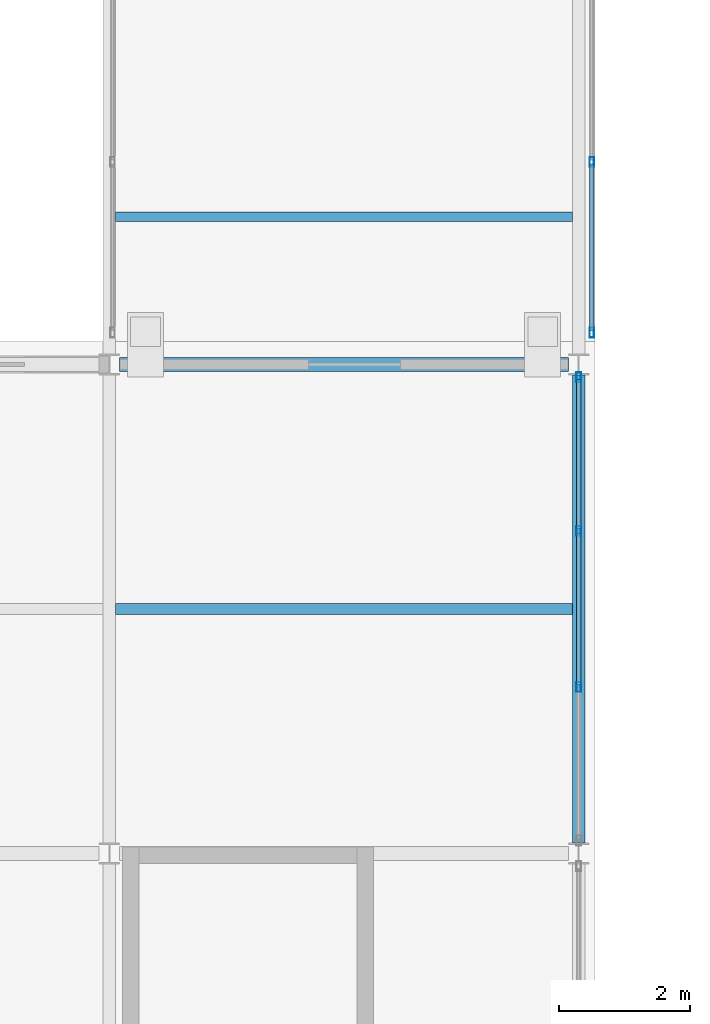
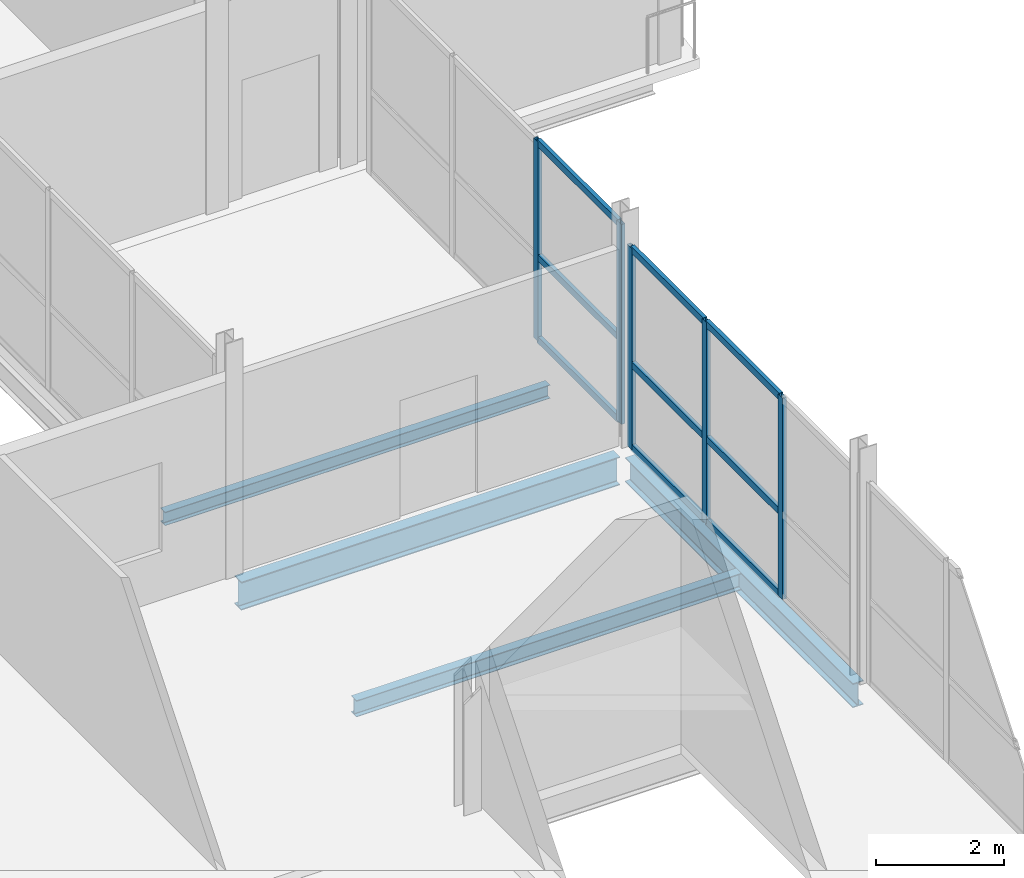
# One storey, part 24 of 77: 14 members, 4 beams, 2 elements without a shape of their own.
"""IFC4 building model written with IfcOpenShell, lengths in metres."""

from ifc_helpers import new_model, si_unit, direction, frame, origin, origin_2d, place, context, subcontext, project, spatial, hollow_rectangle, i_section, extrude, material, layer, layer_set, material_profile, profile_set, type_object, element, aggregate, save


model = new_model("IFC4")

# Units and contexts
model_context = context("Model", 3, precision=1e-05, world=origin(), true_north=direction((0.0, 1.0)))
body_context = subcontext(model_context, "Body", "Model", "MODEL_VIEW")
ifc_project = project(units=[si_unit("LENGTHUNIT", "METRE"), si_unit("AREAUNIT", "SQUARE_METRE"), si_unit("VOLUMEUNIT", "CUBIC_METRE"), si_unit("PLANEANGLEUNIT", "RADIAN"), si_unit("MASSUNIT", "GRAM", prefix="KILO")], contexts=[model_context])

# Site, building, storey
site_placement = place(None, origin())
site = spatial("IfcSite", under=ifc_project, at=site_placement, CompositionType="ELEMENT")
building_placement = place(site_placement, origin())
building = spatial("IfcBuilding", under=site, at=building_placement, Name="Quillay Park Conservatory", CompositionType="ELEMENT")
storey_placement = place(building_placement, frame((0.0, 0.0, 5.39990234375)))
storey = spatial("IfcBuildingStorey", under=building, at=storey_placement, Name="L01", CompositionType="ELEMENT", Elevation=5.39990234375)

# Beams
ifc_material_1 = material(Name="Steel ASTM A992 Grade 50", Category="steel")
ifc_material_profile_1 = material_profile(ifc_material_1, i_section(OverallWidth=0.14599609375, OverallDepth=0.258056640625, WebThickness=0.006103515625, FlangeThickness=0.009033203125, FilletRadius=0.009033203125, at=origin_2d()), Name="W250x33")
ifc_profile_set_1 = profile_set([ifc_material_profile_1], Name="Steel ASTM A992 Grade 50")
beam_type_1 = type_object("IfcBeamType", Name="COMPOSITE FLOOR JOIST W250 X33", PredefinedType="JOIST", material=ifc_profile_set_1)
beam_1_placement = place(storey_placement, frame((15.095947265625, 56.5, -0.348876953125), z_axis=(1.0, 0.0, 0.0), x_axis=(0.0, 1.0, 0.0)))
element("IfcBeam", 1, at=beam_1_placement, inside=storey, type_object=beam_type_1, Name="L01 beam BM-LB1J-1579", PredefinedType="JOIST", context=body_context, shape_type="SweptSolid", body=[
    extrude(i_section(OverallWidth=0.14599609375, OverallDepth=0.258056640625, WebThickness=0.006103515625, FlangeThickness=0.009033203125, FilletRadius=0.009033203125, at=origin_2d()), origin(), (0.0, 0.0, 1.0), 6.9580078125),
])
ifc_material_2 = material(Name="Steel ASTM A992 Grade 50", Category="steel")
ifc_material_profile_2 = material_profile(ifc_material_2, i_section(OverallWidth=0.166015625, OverallDepth=0.31298828125, WebThickness=0.006591796875, FlangeThickness=0.01123046875, FilletRadius=0.010009765625, at=origin_2d()), Name="W310x45")
ifc_profile_set_2 = profile_set([ifc_material_profile_2], Name="Steel ASTM A992 Grade 50")
beam_type_2 = type_object("IfcBeamType", Name="COMPOSITE FLOOR JOIST W310 X45", PredefinedType="JOIST", material=ifc_profile_set_2)
beam_2_placement = place(storey_placement, frame((15.095947265625, 50.52490234375, -0.346435546875), z_axis=(1.0, 0.0, 0.0), x_axis=(0.0, 1.0, 0.0)))
element("IfcBeam", 2, at=beam_2_placement, inside=storey, type_object=beam_type_2, Name="L01 beam BM-V3J-1324", PredefinedType="JOIST", context=body_context, shape_type="SweptSolid", body=[
    extrude(i_section(OverallWidth=0.166015625, OverallDepth=0.31298828125, WebThickness=0.006591796875, FlangeThickness=0.01123046875, FilletRadius=0.010009765625, at=origin_2d()), origin(), (0.0, 0.0, 1.0), 6.9580078125),
])

# Curtain wall, members
ifc_material_3 = material(Name="Thermally Broken Anodised Aluminium 6063-T6", Category="aluminium")
ifc_layer_1 = layer(ifc_material_3, 0.1650390625)
ifc_layer_set_1 = layer_set([ifc_layer_1], Name="UNITISED CURTAIN WALL PODIUM (Thermally Broken Anodised Aluminium 6063-T6)")
curtain_wall_type_1 = type_object("IfcCurtainWallType", Name="UNITISED CURTAIN WALL PODIUM", PredefinedType="USERDEFINED", material=ifc_layer_set_1)
curtain_wall_1_placement = place(storey_placement, origin())
curtain_wall_1 = element("IfcCurtainWall", 3, at=curtain_wall_1_placement, inside=storey, type_object=curtain_wall_type_1, Name="L01 Unitised Curtain Wall 204", ObjectType="UNITISED CURTAIN WALL", PredefinedType="USERDEFINED")
ifc_material_4 = material(Name="Thermally Broken Anodised Aluminium 6063-T6", Category="aluminium")
ifc_material_profile_3 = material_profile(ifc_material_4, hollow_rectangle(XDim=0.070068359375, YDim=0.14990234375, WallThickness=0.00341796875, at=origin_2d()), Name="AL70x150x3.5")
ifc_profile_set_3 = profile_set([ifc_material_profile_3], Name="Thermally Broken Anodised Aluminium 6063-T6")
member_type_1 = type_object("IfcMemberType", Name="CURTAIN WALL MULLION 70 X150", PredefinedType="MULLION", material=ifc_profile_set_3)
member_1_placement = place(storey_placement, frame((22.14990234375, 54.054931640625, 0.0), z_axis=(0.0, 0.0, 1.0), x_axis=(1.0, 0.0, 0.0)))
member_1 = element("IfcMember", 4, at=member_1_placement, type_object=member_type_1, Name="CW-P1 mullion 1", PredefinedType="MULLION", context=body_context, shape_type="SweptSolid", body=[
    extrude(hollow_rectangle(XDim=0.070068359375, YDim=0.14990234375, WallThickness=0.00341796875, at=origin_2d()), origin(), (0.0, 0.0, 1.0), 3.843994140625),
])
member_2_placement = place(storey_placement, frame((22.14990234375, 51.71337890625, 0.0), z_axis=(0.0, 0.0, 1.0), x_axis=(1.0, 0.0, 0.0)))
member_2 = element("IfcMember", 5, at=member_2_placement, type_object=member_type_1, Name="CW-P1 mullion 2", PredefinedType="MULLION", context=body_context, shape_type="SweptSolid", body=[
    extrude(hollow_rectangle(XDim=0.070068359375, YDim=0.14990234375, WallThickness=0.00341796875, at=origin_2d()), origin(), (0.0, 0.0, 1.0), 3.843994140625),
])
member_3_placement = place(storey_placement, frame((22.14990234375, 49.336669921875, 0.0), z_axis=(0.0, 0.0, 1.0), x_axis=(1.0, 0.0, 0.0)))
member_3 = element("IfcMember", 6, at=member_3_placement, type_object=member_type_1, Name="CW-P1 mullion 3", PredefinedType="MULLION", context=body_context, shape_type="SweptSolid", body=[
    extrude(hollow_rectangle(XDim=0.070068359375, YDim=0.14990234375, WallThickness=0.00341796875, at=origin_2d()), origin(), (0.0, 0.0, 1.0), 3.843994140625),
])

ifc_material_5 = material(Name="Thermally Broken Anodised Aluminium 6063-T6", Category="aluminium")
ifc_layer_2 = layer(ifc_material_5, 0.155029296875)
ifc_layer_set_2 = layer_set([ifc_layer_2], Name="UNITISED CURTAIN WALL BRIDGE (Thermally Broken Anodised Aluminium 6063-T6)")
curtain_wall_type_2 = type_object("IfcCurtainWallType", Name="UNITISED CURTAIN WALL BRIDGE", PredefinedType="USERDEFINED", material=ifc_layer_set_2)
curtain_wall_2_placement = place(storey_placement, origin())
curtain_wall_2 = element("IfcCurtainWall", 7, at=curtain_wall_2_placement, inside=storey, type_object=curtain_wall_type_2, Name="L01 Unitised Curtain Wall 216", ObjectType="UNITISED CURTAIN WALL", PredefinedType="USERDEFINED")
member_4_placement = place(storey_placement, frame((22.35009765625, 57.333251953125, 0.0), z_axis=(0.0, 0.0, 1.0), x_axis=(1.0, 0.0, 0.0)))
member_4 = element("IfcMember", 8, at=member_4_placement, type_object=member_type_1, Name="CW-B1 mullion 3", PredefinedType="MULLION", context=body_context, shape_type="SweptSolid", body=[
    extrude(hollow_rectangle(XDim=0.070068359375, YDim=0.14990234375, WallThickness=0.00341796875, at=origin_2d()), origin(), (0.0, 0.0, 1.0), 3.819091796875),
])
member_5_placement = place(storey_placement, frame((22.35009765625, 54.735107421875, 0.0), z_axis=(0.0, 0.0, 1.0), x_axis=(1.0, 0.0, 0.0)))
member_5 = element("IfcMember", 9, at=member_5_placement, type_object=member_type_1, Name="CW-B1 mullion 4", PredefinedType="MULLION", context=body_context, shape_type="SweptSolid", body=[
    extrude(hollow_rectangle(XDim=0.070068359375, YDim=0.14990234375, WallThickness=0.00341796875, at=origin_2d()), origin(), (0.0, 0.0, 1.0), 3.819091796875),
])

# Member
ifc_material_6 = material(Name="Thermally Broken Anodised Aluminium 6063-T6", Category="aluminium")
ifc_material_profile_4 = material_profile(ifc_material_6, hollow_rectangle(XDim=0.070068359375, YDim=0.1298828125, WallThickness=0.003173828125, at=origin_2d()), Name="AL70x130x3.2")
ifc_profile_set_4 = profile_set([ifc_material_profile_4], Name="Thermally Broken Anodised Aluminium 6063-T6")
member_type_2 = type_object("IfcMemberType", Name="CURTAIN WALL TRANSOM 70 X130", PredefinedType="USERDEFINED", material=ifc_profile_set_4)
member_6_placement = place(storey_placement, frame((22.14990234375, 54.02001953125, 0.03515625), z_axis=(0.0, -1.0, 0.0), x_axis=(1.0, 0.0, 0.0)))
member_6 = element("IfcMember", 10, at=member_6_placement, type_object=member_type_2, Name="CW-P1 transom 1.1", ObjectType="TRANSOM", PredefinedType="USERDEFINED", context=body_context, shape_type="SweptSolid", body=[
    extrude(hollow_rectangle(XDim=0.070068359375, YDim=0.1298828125, WallThickness=0.003173828125, at=origin_2d()), origin(), (0.0, 0.0, 1.0), 2.271728515625),
])

member_7_placement = place(storey_placement, frame((22.14990234375, 54.02001953125, 1.614501953125), z_axis=(0.0, -1.0, 0.0), x_axis=(1.0, 0.0, 0.0)))
member_7 = element("IfcMember", 11, at=member_7_placement, type_object=member_type_2, Name="CW-P1 transom 1.2", ObjectType="TRANSOM", PredefinedType="USERDEFINED", context=body_context, shape_type="SweptSolid", body=[
    extrude(hollow_rectangle(XDim=0.070068359375, YDim=0.1298828125, WallThickness=0.003173828125, at=origin_2d()), origin(), (0.0, 0.0, 1.0), 2.271728515625),
])

member_8_placement = place(storey_placement, frame((22.14990234375, 54.02001953125, 3.80908203125), z_axis=(0.0, -1.0, 0.0), x_axis=(1.0, 0.0, 0.0)))
member_8 = element("IfcMember", 12, at=member_8_placement, type_object=member_type_2, Name="CW-P1 transom 1.3", ObjectType="TRANSOM", PredefinedType="USERDEFINED", context=body_context, shape_type="SweptSolid", body=[
    extrude(hollow_rectangle(XDim=0.070068359375, YDim=0.1298828125, WallThickness=0.003173828125, at=origin_2d()), origin(), (0.0, 0.0, 1.0), 2.271728515625),
])

member_9_placement = place(storey_placement, frame((22.14990234375, 51.67822265625, 0.03515625), z_axis=(0.0, -1.0, 0.0), x_axis=(1.0, 0.0, 0.0)))
member_9 = element("IfcMember", 13, at=member_9_placement, type_object=member_type_2, Name="CW-P1 transom 2.1", ObjectType="TRANSOM", PredefinedType="USERDEFINED", context=body_context, shape_type="SweptSolid", body=[
    extrude(hollow_rectangle(XDim=0.070068359375, YDim=0.1298828125, WallThickness=0.003173828125, at=origin_2d()), origin(), (0.0, 0.0, 1.0), 2.306640625),
])

member_10_placement = place(storey_placement, frame((22.14990234375, 51.67822265625, 1.614501953125), z_axis=(0.0, -1.0, 0.0), x_axis=(1.0, 0.0, 0.0)))
member_10 = element("IfcMember", 14, at=member_10_placement, type_object=member_type_2, Name="CW-P1 transom 2.2", ObjectType="TRANSOM", PredefinedType="USERDEFINED", context=body_context, shape_type="SweptSolid", body=[
    extrude(hollow_rectangle(XDim=0.070068359375, YDim=0.1298828125, WallThickness=0.003173828125, at=origin_2d()), origin(), (0.0, 0.0, 1.0), 2.306640625),
])

member_11_placement = place(storey_placement, frame((22.14990234375, 51.67822265625, 3.80908203125), z_axis=(0.0, -1.0, 0.0), x_axis=(1.0, 0.0, 0.0)))
member_11 = element("IfcMember", 15, at=member_11_placement, type_object=member_type_2, Name="CW-P1 transom 2.3", ObjectType="TRANSOM", PredefinedType="USERDEFINED", context=body_context, shape_type="SweptSolid", body=[
    extrude(hollow_rectangle(XDim=0.070068359375, YDim=0.1298828125, WallThickness=0.003173828125, at=origin_2d()), origin(), (0.0, 0.0, 1.0), 2.306640625),
])

aggregate(curtain_wall_1, [member_1, member_2, member_3, member_6, member_7, member_8, member_9, member_10, member_11])

member_12_placement = place(storey_placement, frame((22.35009765625, 57.29833984375, 0.03515625), z_axis=(0.0, -1.0, 0.0), x_axis=(1.0, 0.0, 0.0)))
member_12 = element("IfcMember", 16, at=member_12_placement, type_object=member_type_2, Name="CW-B1 transom 3.1", ObjectType="TRANSOM", PredefinedType="USERDEFINED", context=body_context, shape_type="SweptSolid", body=[
    extrude(hollow_rectangle(XDim=0.070068359375, YDim=0.1298828125, WallThickness=0.003173828125, at=origin_2d()), origin(), (0.0, 0.0, 1.0), 2.5283203125),
])

member_13_placement = place(storey_placement, frame((22.35009765625, 57.29833984375, 1.60400390625), z_axis=(0.0, -1.0, 0.0), x_axis=(1.0, 0.0, 0.0)))
member_13 = element("IfcMember", 17, at=member_13_placement, type_object=member_type_2, Name="CW-B1 transom 3.2", ObjectType="TRANSOM", PredefinedType="USERDEFINED", context=body_context, shape_type="SweptSolid", body=[
    extrude(hollow_rectangle(XDim=0.070068359375, YDim=0.1298828125, WallThickness=0.003173828125, at=origin_2d()), origin(), (0.0, 0.0, 1.0), 2.5283203125),
])

member_14_placement = place(storey_placement, frame((22.35009765625, 57.29833984375, 3.7841796875), z_axis=(0.0, -1.0, 0.0), x_axis=(1.0, 0.0, 0.0)))
member_14 = element("IfcMember", 18, at=member_14_placement, type_object=member_type_2, Name="CW-B1 transom 3.3", ObjectType="TRANSOM", PredefinedType="USERDEFINED", context=body_context, shape_type="SweptSolid", body=[
    extrude(hollow_rectangle(XDim=0.070068359375, YDim=0.1298828125, WallThickness=0.003173828125, at=origin_2d()), origin(), (0.0, 0.0, 1.0), 2.5283203125),
])

aggregate(curtain_wall_2, [member_4, member_5, member_12, member_13, member_14])

# Beams
ifc_material_7 = material(Name="Steel ASTM A992 Grade 50", Category="steel")
ifc_material_profile_5 = material_profile(ifc_material_7, i_section(OverallWidth=0.19189453125, OverallDepth=0.462890625, WebThickness=0.010498046875, FlangeThickness=0.017578125, FilletRadius=0.012939453125, at=origin_2d()), Name="W460x89")
ifc_profile_set_5 = profile_set([ifc_material_profile_5], Name="Steel ASTM A992 Grade 50")
beam_type_3 = type_object("IfcBeamType", Name="PRIMARY FLOOR GIRDER W460 X89", PredefinedType="BEAM", material=ifc_profile_set_5)
beam_3_placement = place(storey_placement, frame((22.14990234375, 46.96142578125, -0.42138671875), z_axis=(0.0, 1.0, 0.0), x_axis=(-1.0, 0.0, 0.0)))
element("IfcBeam", 19, at=beam_3_placement, inside=storey, type_object=beam_type_3, Name="L01 beam BM-V3Y-1309", PredefinedType="BEAM", context=body_context, shape_type="SweptSolid", body=[
    extrude(i_section(OverallWidth=0.19189453125, OverallDepth=0.462890625, WebThickness=0.010498046875, FlangeThickness=0.017578125, FilletRadius=0.012939453125, at=origin_2d()), origin(), (0.0, 0.0, 1.0), 7.126953125),
])
ifc_material_8 = material(Name="Steel ASTM A992 Grade 50", Category="steel")
ifc_material_profile_6 = material_profile(ifc_material_8, i_section(OverallWidth=0.2109375, OverallDepth=0.5390625, WebThickness=0.01171875, FlangeThickness=0.018798828125, FilletRadius=0.013916015625, at=origin_2d()), Name="W530x109")
ifc_profile_set_6 = profile_set([ifc_material_profile_6], Name="Steel ASTM A992 Grade 50")
beam_type_4 = type_object("IfcBeamType", Name="PRIMARY FLOOR GIRDER W530 X109", PredefinedType="BEAM", material=ifc_profile_set_6)
beam_4_placement = place(storey_placement, frame((15.154541015625, 54.25, -0.45947265625), z_axis=(1.0, 0.0, 0.0), x_axis=(0.0, 1.0, 0.0)))
element("IfcBeam", 20, at=beam_4_placement, inside=storey, type_object=beam_type_4, Name="L01 beam BM-V3X-1282", PredefinedType="BEAM", context=body_context, shape_type="SweptSolid", body=[
    extrude(i_section(OverallWidth=0.2109375, OverallDepth=0.5390625, WebThickness=0.01171875, FlangeThickness=0.018798828125, FilletRadius=0.013916015625, at=origin_2d()), origin(), (0.0, 0.0, 1.0), 6.841064453125),
])

save(model, "model.ifc")
